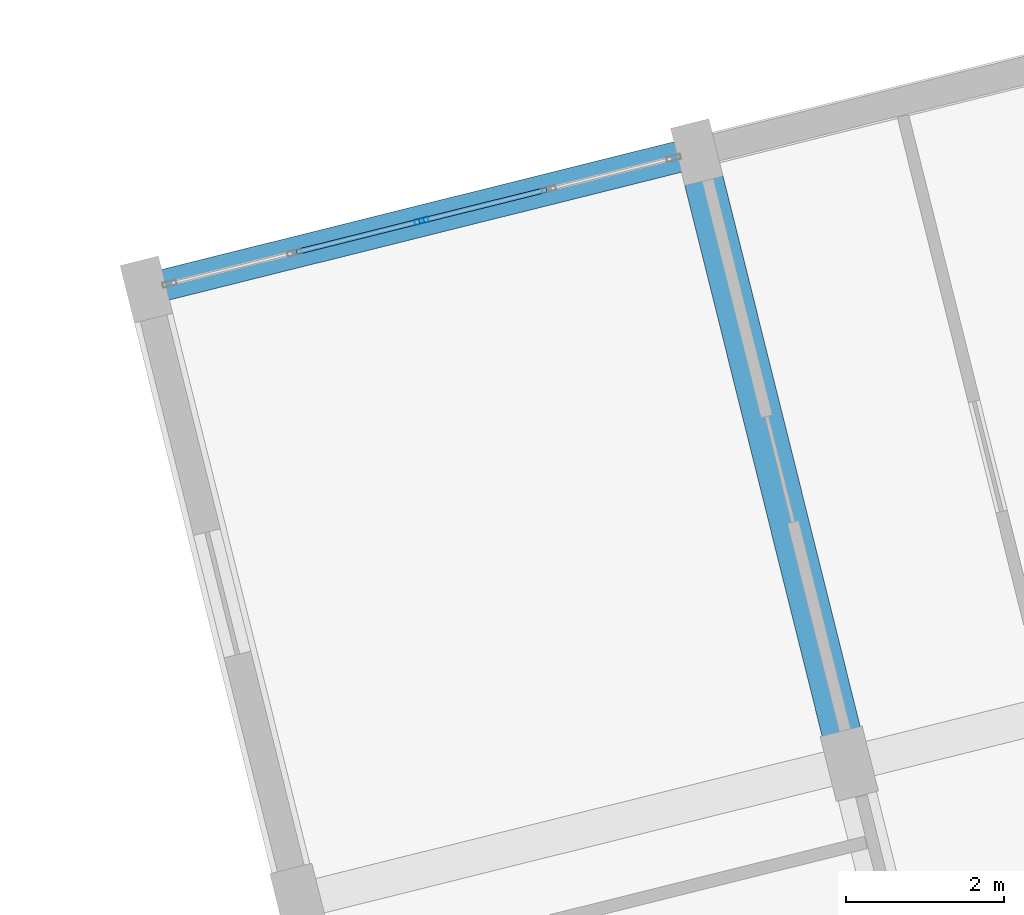
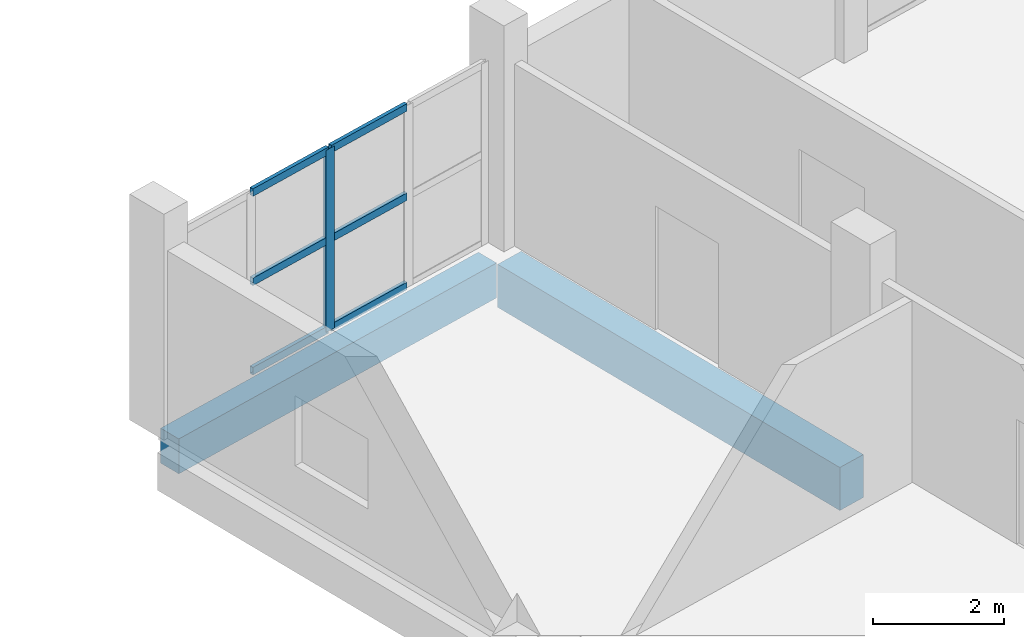
# One storey, part 58 of 164: 7 members, 2 beams, 1 element without a shape of its own.
"""IFC4 building model written with IfcOpenShell, lengths in metres."""

from ifc_helpers import new_model, si_unit, direction, frame, origin, origin_2d, place, context, subcontext, project, spatial, rectangle, hollow_rectangle, extrude, material, layer, layer_set, material_profile, profile_set, type_object, element, aggregate, save


model = new_model("IFC4")

# Units and contexts
model_context = context("Model", 3, precision=1e-05, world=origin(), true_north=direction((0.0, 1.0)))
body_context = subcontext(model_context, "Body", "Model", "MODEL_VIEW")
ifc_project = project(units=[si_unit("LENGTHUNIT", "METRE"), si_unit("AREAUNIT", "SQUARE_METRE"), si_unit("VOLUMEUNIT", "CUBIC_METRE"), si_unit("PLANEANGLEUNIT", "RADIAN"), si_unit("MASSUNIT", "GRAM", prefix="KILO")], contexts=[model_context])

# Site, building, storey
site_placement = place(None, origin())
site = spatial("IfcSite", under=ifc_project, at=site_placement, CompositionType="ELEMENT")
building_placement = place(site_placement, origin())
building = spatial("IfcBuilding", under=site, at=building_placement, Name="Mawjan Specialist Oncology Clinic", CompositionType="ELEMENT")
storey_placement = place(building_placement, frame((0.0, 0.0, 5.0)))
storey = spatial("IfcBuildingStorey", under=building, at=storey_placement, Name="L01", CompositionType="ELEMENT", Elevation=5.0)

# Beam
ifc_material_1 = material(Name="Concrete C45/55", Category="concrete")
ifc_material_profile_1 = material_profile(ifc_material_1, rectangle(XDim=0.5, YDim=0.800048828125, at=origin_2d()), Name="RC BM 500x800", Category="concrete")
ifc_profile_set_1 = profile_set([ifc_material_profile_1], Name="Concrete C45/55")
beam_type_1 = type_object("IfcBeamType", Name="BM-500x800", PredefinedType="BEAM", material=ifc_profile_set_1)
beam_1_placement = place(storey_placement, frame((125.181640625, 33.843505859375, -0.699951171875), z_axis=(-0.241892627095, 0.970303023265, 0.0), x_axis=(-0.970303023265, -0.241892627095, 0.0)))
element("IfcBeam", 1, at=beam_1_placement, inside=storey, type_object=beam_type_1, Name="L01 Collector Beam BM-L01-0619", PredefinedType="BEAM", context=body_context, shape_type="SweptSolid", body=[
    extrude(rectangle(XDim=0.5, YDim=0.800048828125, at=origin_2d()), origin(), (0.0, 0.0, 1.0), 7.505126953125),
])

# Curtain wall, members
ifc_material_2 = material(Name="Unitised spectrally selective aluminium curtain wall", Category="aluminium")
ifc_layer = layer(ifc_material_2, 0.179931640625, Name="Unitised spectrally selective aluminium curtain wall", Category="aluminium")
ifc_layer_set = layer_set([ifc_layer], Name="Unitised spectrally selective aluminium curtain wall")
curtain_wall_type = type_object("IfcCurtainWallType", Name="CW-48", PredefinedType="NOTDEFINED", material=ifc_layer_set)
curtain_wall_placement = place(storey_placement, origin())
curtain_wall = element("IfcCurtainWall", 2, at=curtain_wall_placement, inside=storey, type_object=curtain_wall_type, Name="L01 Unitised Curtain Wall CW-L01-092", PredefinedType="NOTDEFINED")
ifc_material_3 = material(Name="Thermally broken aluminium 6063-T6", Category="aluminium")
ifc_material_profile_2 = material_profile(ifc_material_3, hollow_rectangle(XDim=0.06494140625, YDim=0.179931640625, WallThickness=0.00390625, at=origin_2d()), Name="ALU MULLION 180x65x4", Category="aluminium")
ifc_profile_set_2 = profile_set([ifc_material_profile_2], Name="Thermally broken aluminium 6063-T6")
member_type_1 = type_object("IfcMemberType", Name="CW-M180", PredefinedType="MULLION", material=ifc_profile_set_2)
member_1_placement = place(storey_placement, frame((119.816162109375, 40.482666015625, 0.0), z_axis=(0.0, 0.0, 1.0), x_axis=(-0.241922080664, 0.970295680134, 0.0)))
member_1 = element("IfcMember", 3, at=member_1_placement, type_object=member_type_1, Name="CW-48 mullion 3", PredefinedType="MULLION", context=body_context, shape_type="SweptSolid", body=[
    extrude(hollow_rectangle(XDim=0.06494140625, YDim=0.179931640625, WallThickness=0.00390625, at=origin_2d()), origin(), (0.0, 0.0, 1.0), 3.385009765625),
])
ifc_material_4 = material(Name="Thermally broken aluminium 6063-T6", Category="aluminium")
ifc_material_profile_3 = material_profile(ifc_material_4, hollow_rectangle(XDim=0.06494140625, YDim=0.139892578125, WallThickness=0.00390625, at=origin_2d()), Name="ALU TRANSOM 140x65x4", Category="aluminium")
ifc_profile_set_3 = profile_set([ifc_material_profile_3], Name="Thermally broken aluminium 6063-T6")
member_type_2 = type_object("IfcMemberType", Name="CW-T140", PredefinedType="USERDEFINED", material=ifc_profile_set_3)
member_2_placement = place(storey_placement, frame((118.232177734375, 40.087890625, 0.032470703125), z_axis=(0.970312800845, 0.241853402947, 0.0), x_axis=(-0.241853402947, 0.970312800845, 0.0)))
member_2 = element("IfcMember", 4, at=member_2_placement, type_object=member_type_2, Name="CW-48 transom 2.1", ObjectType="TRANSOM", PredefinedType="USERDEFINED", context=body_context, shape_type="SweptSolid", body=[
    extrude(hollow_rectangle(XDim=0.06494140625, YDim=0.139892578125, WallThickness=0.00390625, at=origin_2d()), origin(), (0.0, 0.0, 1.0), 1.60009765625),
])
member_3_placement = place(storey_placement, frame((118.232177734375, 40.087890625, 1.6923828125), z_axis=(0.970312800845, 0.241853402947, 0.0), x_axis=(-0.241853402947, 0.970312800845, 0.0)))
member_3 = element("IfcMember", 5, at=member_3_placement, type_object=member_type_2, Name="CW-48 transom 2.2", ObjectType="TRANSOM", PredefinedType="USERDEFINED", context=body_context, shape_type="SweptSolid", body=[
    extrude(hollow_rectangle(XDim=0.06494140625, YDim=0.139892578125, WallThickness=0.00390625, at=origin_2d()), origin(), (0.0, 0.0, 1.0), 1.60009765625),
])
member_4_placement = place(storey_placement, frame((118.232177734375, 40.087890625, 3.3525390625), z_axis=(0.970312800845, 0.241853402947, 0.0), x_axis=(-0.241853402947, 0.970312800845, 0.0)))
member_4 = element("IfcMember", 6, at=member_4_placement, type_object=member_type_2, Name="CW-48 transom 2.3", ObjectType="TRANSOM", PredefinedType="USERDEFINED", context=body_context, shape_type="SweptSolid", body=[
    extrude(hollow_rectangle(XDim=0.06494140625, YDim=0.139892578125, WallThickness=0.00390625, at=origin_2d()), origin(), (0.0, 0.0, 1.0), 1.60009765625),
])
member_5_placement = place(storey_placement, frame((119.84765625, 40.49072265625, 0.032470703125), z_axis=(0.970312800845, 0.241853402947, 0.0), x_axis=(-0.241853402947, 0.970312800845, 0.0)))
member_5 = element("IfcMember", 7, at=member_5_placement, type_object=member_type_2, Name="CW-48 transom 3.1", ObjectType="TRANSOM", PredefinedType="USERDEFINED", context=body_context, shape_type="SweptSolid", body=[
    extrude(hollow_rectangle(XDim=0.06494140625, YDim=0.139892578125, WallThickness=0.00390625, at=origin_2d()), origin(), (0.0, 0.0, 1.0), 1.60009765625),
])
member_6_placement = place(storey_placement, frame((119.84765625, 40.49072265625, 1.6923828125), z_axis=(0.970312800845, 0.241853402947, 0.0), x_axis=(-0.241853402947, 0.970312800845, 0.0)))
member_6 = element("IfcMember", 8, at=member_6_placement, type_object=member_type_2, Name="CW-48 transom 3.2", ObjectType="TRANSOM", PredefinedType="USERDEFINED", context=body_context, shape_type="SweptSolid", body=[
    extrude(hollow_rectangle(XDim=0.06494140625, YDim=0.139892578125, WallThickness=0.00390625, at=origin_2d()), origin(), (0.0, 0.0, 1.0), 1.60009765625),
])
member_7_placement = place(storey_placement, frame((119.84765625, 40.49072265625, 3.3525390625), z_axis=(0.970312800845, 0.241853402947, 0.0), x_axis=(-0.241853402947, 0.970312800845, 0.0)))
member_7 = element("IfcMember", 9, at=member_7_placement, type_object=member_type_2, Name="CW-48 transom 3.3", ObjectType="TRANSOM", PredefinedType="USERDEFINED", context=body_context, shape_type="SweptSolid", body=[
    extrude(hollow_rectangle(XDim=0.06494140625, YDim=0.139892578125, WallThickness=0.00390625, at=origin_2d()), origin(), (0.0, 0.0, 1.0), 1.60009765625),
])
aggregate(curtain_wall, [member_1, member_2, member_3, member_4, member_5, member_6, member_7])

# Beam
ifc_material_5 = material(Name="Concrete C45/55", Category="concrete")
ifc_material_profile_4 = material_profile(ifc_material_5, rectangle(XDim=0.39990234375, YDim=0.64990234375, at=origin_2d()), Name="RC BM 400x650", Category="concrete")
ifc_profile_set_4 = profile_set([ifc_material_profile_4], Name="Concrete C45/55")
beam_type_2 = type_object("IfcBeamType", Name="SP-400x650", PredefinedType="SPANDREL", material=ifc_profile_set_4)
beam_2_placement = place(storey_placement, frame((116.551025390625, 39.668701171875, -0.625), z_axis=(0.970295942731, 0.241921027444, 0.0), x_axis=(-0.241921027444, 0.970295942731, 0.0)))
element("IfcBeam", 10, at=beam_2_placement, inside=storey, type_object=beam_type_2, Name="L01 Spandrel Beam BM-L01-0608", PredefinedType="SPANDREL", context=body_context, shape_type="SweptSolid", body=[
    extrude(rectangle(XDim=0.39990234375, YDim=0.64990234375, at=origin_2d()), origin(), (0.0, 0.0, 1.0), 6.730224609375),
])

save(model, "model.ifc")
